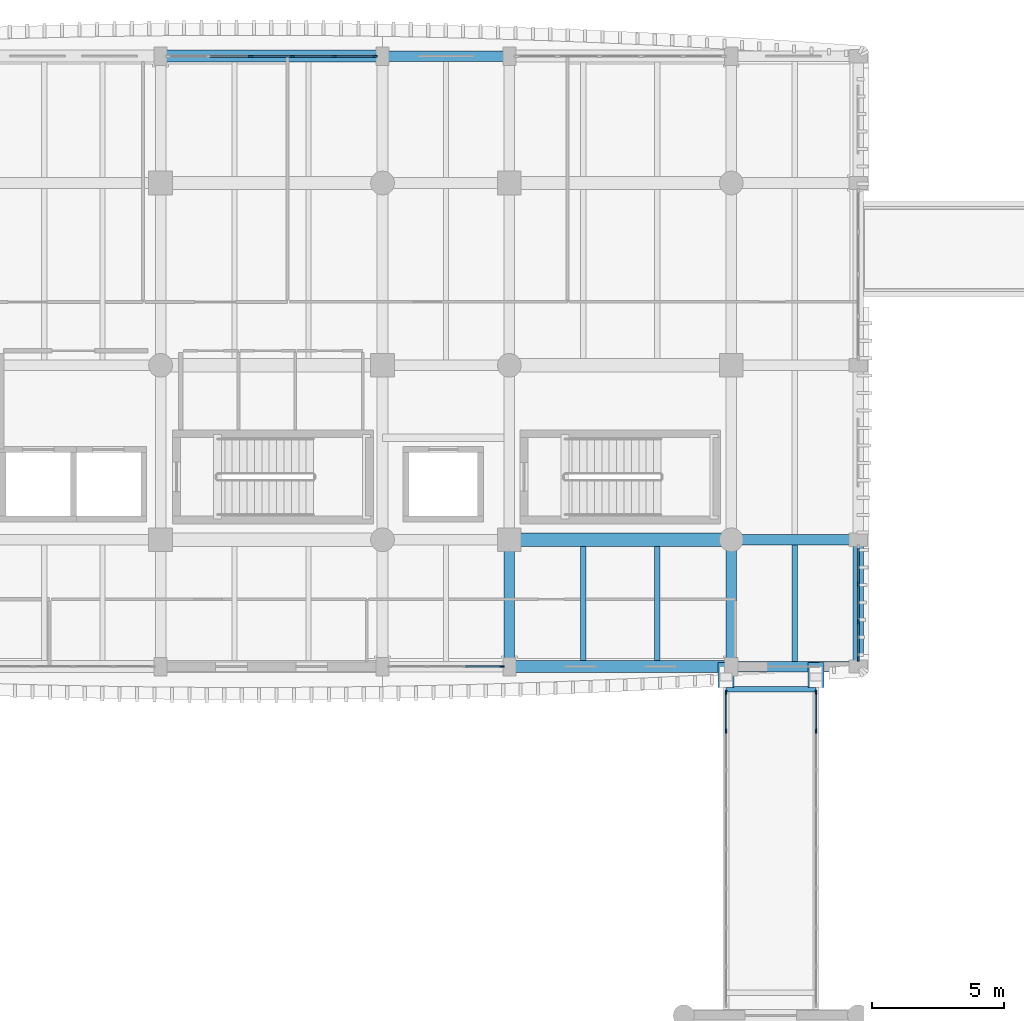
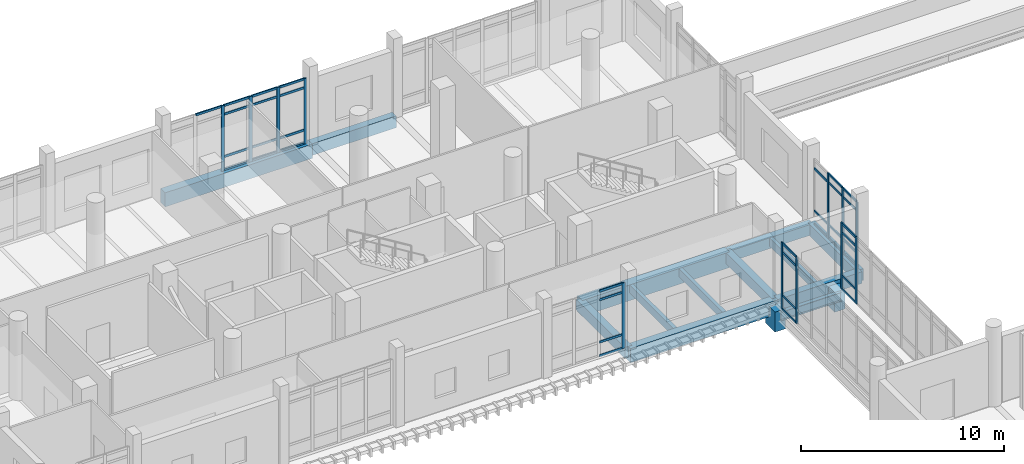
# One storey, part 28 of 101: 48 members, 15 beams, 5 elements without a shape of their own.
"""IFC4 building model written with IfcOpenShell, lengths in metres."""

from ifc_helpers import new_model, si_unit, direction, frame, origin, origin_2d, place, context, subcontext, project, spatial, rectangle, i_section, extrude, material, material_profile, profile_set, type_object, element, aggregate, save


model = new_model("IFC4")

# Units and contexts
model_context = context("Model", 3, precision=1e-05, world=origin(), true_north=direction((0.0, 1.0)))
body_context = subcontext(model_context, "Body", "Model", "MODEL_VIEW")
ifc_project = project(units=[si_unit("LENGTHUNIT", "METRE"), si_unit("AREAUNIT", "SQUARE_METRE"), si_unit("VOLUMEUNIT", "CUBIC_METRE"), si_unit("PLANEANGLEUNIT", "RADIAN"), si_unit("MASSUNIT", "GRAM", prefix="KILO")], contexts=[model_context])

# Site, building, storey
site_placement = place(None, origin())
site = spatial("IfcSite", under=ifc_project, at=site_placement, CompositionType="ELEMENT")
building_placement = place(site_placement, origin())
building = spatial("IfcBuilding", under=site, at=building_placement, Name="Dornvale Research Institute", CompositionType="ELEMENT")
storey_placement = place(building_placement, frame((0.0, 0.0, 10.199951171875)))
storey = spatial("IfcBuildingStorey", under=building, at=storey_placement, Name="L02", CompositionType="ELEMENT", Elevation=10.199951171875)

# Beams
ifc_material_1 = material(Name="Concrete f'c 45 MPa (C35/45)", Category="concrete")
ifc_material_profile_1 = material_profile(ifc_material_1, rectangle(XDim=0.39990234375, YDim=0.64990234375, at=origin_2d()), Name="RC 400x650")
ifc_profile_set_1 = profile_set([ifc_material_profile_1], Name="Concrete f'c 45 MPa (C35/45)")
beam_type_1 = type_object("IfcBeamType", Name="Beam_RC400x650_Floor", PredefinedType="BEAM", material=ifc_profile_set_1)
for number, where, z_axis, x_axis, name in (
    (1, (41.39990234375, 103.800048828125, -0.324951171875), (1.0, 0.0, 0.0), (0.0, 1.0, 0.0), "L02 primary girder #581"),
    (2, (33.0, 99.0, -0.324951171875), (0.0, 1.0, 0.0), (-1.0, 0.0, 0.0), "L02 transverse girder #623"),
    (3, (41.39990234375, 99.0, -0.324951171875), (0.0, 1.0, 0.0), (-1.0, 0.0, 0.0), "L02 transverse girder #627"),
):
    element("IfcBeam", number, at=place(storey_placement, frame(where, z_axis=z_axis, x_axis=x_axis)), inside=storey, type_object=beam_type_1, Name=name, PredefinedType="BEAM", context=body_context, shape_type="SweptSolid", body=[
        extrude(rectangle(XDim=0.39990234375, YDim=0.64990234375, at=origin_2d()), origin(), (0.0, 0.0, 1.0), 4.800048828125),
    ])
ifc_material_2 = material(Name="Concrete f'c 45 MPa (C35/45)", Category="concrete")
ifc_material_profile_2 = material_profile(ifc_material_2, rectangle(XDim=0.5, YDim=0.949951171875, at=origin_2d()), Name="RC 500x950")
ifc_profile_set_2 = profile_set([ifc_material_profile_2], Name="Concrete f'c 45 MPa (C35/45)")
beam_type_2 = type_object("IfcBeamType", Name="Beam_RC500x950_Girder", PredefinedType="BEAM", material=ifc_profile_set_2)
beam_1_placement = place(storey_placement, frame((33.0, 103.800048828125, -0.474853515625), z_axis=(1.0, 0.0, 0.0), x_axis=(0.0, 1.0, 0.0)))
element("IfcBeam", 4, at=beam_1_placement, inside=storey, type_object=beam_type_2, Name="L02 primary girder #580", PredefinedType="BEAM", context=body_context, shape_type="SweptSolid", body=[
    extrude(rectangle(XDim=0.5, YDim=0.949951171875, at=origin_2d()), origin(), (0.0, 0.0, 1.0), 8.39990234375),
])
ifc_material_3 = material(Name="Steel ASTM A992 Grade 50", Category="steel")
ifc_material_profile_3 = material_profile(ifc_material_3, i_section(OverallWidth=0.2099609375, OverallDepth=0.535888671875, WebThickness=0.010986328125, FlangeThickness=0.017333984375, at=origin_2d()), Name="W21X68")
ifc_profile_set_3 = profile_set([ifc_material_profile_3], Name="Steel ASTM A992 Grade 50")
beam_type_3 = type_object("IfcBeamType", Name="Beam_Steel_W21X68", PredefinedType="BEAM", material=ifc_profile_set_3)
beam_2_placement = place(storey_placement, frame((41.199951171875, 98.14990234375, -0.488037109375), z_axis=(1.0, 0.0, 0.0), x_axis=(0.0, 1.0, 0.0)))
element("IfcBeam", 5, at=beam_2_placement, inside=storey, type_object=beam_type_3, Name="L02 BR-4 north cross beam #2024", PredefinedType="BEAM", context=body_context, shape_type="SweptSolid", body=[
    extrude(i_section(OverallWidth=0.2099609375, OverallDepth=0.535888671875, WebThickness=0.010986328125, FlangeThickness=0.017333984375, at=origin_2d()), origin(), (0.0, 0.0, 1.0), 3.400146484375),
])
ifc_material_4 = material(Name="Concrete f'c 45 MPa (C35/45)", Category="concrete")
ifc_material_profile_4 = material_profile(ifc_material_4, rectangle(XDim=0.199951171875, YDim=0.485107421875, at=origin_2d()), Name="RC 200x485")
ifc_profile_set_4 = profile_set([ifc_material_profile_4], Name="Concrete f'c 45 MPa (C35/45)")
beam_type_4 = type_object("IfcBeamType", Name="Joist_RC200x485_Rib", PredefinedType="JOIST", material=ifc_profile_set_4)
for number, where, z_axis, x_axis, name in (
    (6, (35.800048828125, 99.22509765625, -0.242431640625), (0.0, 1.0, 0.0), (-1.0, 0.0, 0.0), "L02 laboratory waffle joist #304"),
    (7, (38.60009765625, 99.22509765625, -0.242431640625), (0.0, 1.0, 0.0), (-1.0, 0.0, 0.0), "L02 laboratory waffle joist #305"),
):
    element("IfcBeam", number, at=place(storey_placement, frame(where, z_axis=z_axis, x_axis=x_axis)), inside=storey, type_object=beam_type_4, Name=name, PredefinedType="JOIST", context=body_context, shape_type="SweptSolid", body=[
        extrude(rectangle(XDim=0.199951171875, YDim=0.485107421875, at=origin_2d()), origin(), (0.0, 0.0, 1.0), 4.324951171875),
    ])
beam_3_placement = place(storey_placement, frame((43.800048828125, 99.199951171875, -0.242431640625), z_axis=(0.0, 1.0, 0.0), x_axis=(-1.0, 0.0, 0.0)))
element("IfcBeam", 8, at=beam_3_placement, inside=storey, type_object=beam_type_4, Name="L02 laboratory waffle joist #310", PredefinedType="JOIST", context=body_context, shape_type="SweptSolid", body=[
    extrude(rectangle(XDim=0.199951171875, YDim=0.485107421875, at=origin_2d()), origin(), (0.0, 0.0, 1.0), 4.400146484375),
])

# Curtain wall, members
ifc_material_5 = material(Name="Low-E Argon Double Insulating Glazing Unit", Category="glass")
curtain_wall_type_1 = type_object("IfcCurtainWallType", Name="UnitisedCurtainWall_V2_11900x4000", PredefinedType="USERDEFINED", material=ifc_material_5)
curtain_wall_1_placement = place(storey_placement, origin())
curtain_wall_1 = element("IfcCurtainWall", 9, at=curtain_wall_1_placement, inside=storey, type_object=curtain_wall_type_1, Name="L02 V2 unitised curtain wall CW-40 #209", ObjectType="UNITISED CURTAIN WALL", PredefinedType="USERDEFINED")
ifc_material_6 = material(Name="Anodized Aluminum AA 6063-T6 Thermally Broken Frame", Category="aluminium")
ifc_material_profile_5 = material_profile(ifc_material_6, rectangle(XDim=0.06494140625, YDim=0.1650390625, at=origin_2d()), Name="ALU MULLION 65x165")
ifc_profile_set_5 = profile_set([ifc_material_profile_5], Name="Anodized Aluminum AA 6063-T6 Thermally Broken Frame")
member_type_1 = type_object("IfcMemberType", Name="Mullion_Atrium_65x165", PredefinedType="MULLION", material=ifc_profile_set_5)
member_1_placement = place(storey_placement, frame((41.199951171875, 96.5625, 0.0), z_axis=(0.0, 0.0, 1.0), x_axis=(-1.0, 0.0, 0.0)))
member_1 = element("IfcMember", 10, at=member_1_placement, type_object=member_type_1, Name="CW-40 mullion 8", PredefinedType="MULLION", context=body_context, shape_type="SweptSolid", body=[
    extrude(rectangle(XDim=0.06494140625, YDim=0.1650390625, at=origin_2d()), origin(), (0.0, 0.0, 1.0), 4.0),
])
member_2_placement = place(storey_placement, frame((41.199951171875, 98.017578125, 0.0), z_axis=(0.0, 0.0, 1.0), x_axis=(-1.0, 0.0, 0.0)))
member_2 = element("IfcMember", 11, at=member_2_placement, type_object=member_type_1, Name="CW-40 mullion 9", PredefinedType="MULLION", context=body_context, shape_type="SweptSolid", body=[
    extrude(rectangle(XDim=0.06494140625, YDim=0.1650390625, at=origin_2d()), origin(), (0.0, 0.0, 1.0), 4.0),
])

curtain_wall_2_placement = place(storey_placement, origin())
curtain_wall_2 = element("IfcCurtainWall", 12, at=curtain_wall_2_placement, inside=storey, type_object=curtain_wall_type_1, Name="L02 V2 unitised curtain wall CW-40 #210", ObjectType="UNITISED CURTAIN WALL", PredefinedType="USERDEFINED")
member_3_placement = place(storey_placement, frame((44.60009765625, 98.017578125, 0.0), z_axis=(0.0, 0.0, 1.0), x_axis=(1.0, 0.0, 0.0)))
member_3 = element("IfcMember", 13, at=member_3_placement, type_object=member_type_1, Name="CW-40 mullion 1", PredefinedType="MULLION", context=body_context, shape_type="SweptSolid", body=[
    extrude(rectangle(XDim=0.06494140625, YDim=0.1650390625, at=origin_2d()), origin(), (0.0, 0.0, 1.0), 4.0),
])
member_4_placement = place(storey_placement, frame((44.60009765625, 96.5625, 0.0), z_axis=(0.0, 0.0, 1.0), x_axis=(1.0, 0.0, 0.0)))
member_4 = element("IfcMember", 14, at=member_4_placement, type_object=member_type_1, Name="CW-40 mullion 2", PredefinedType="MULLION", context=body_context, shape_type="SweptSolid", body=[
    extrude(rectangle(XDim=0.06494140625, YDim=0.1650390625, at=origin_2d()), origin(), (0.0, 0.0, 1.0), 4.0),
])

ifc_material_7 = material(Name="Low-E Argon Double Insulating Glazing Unit", Category="glass")
curtain_wall_type_2 = type_object("IfcCurtainWallType", Name="UnitisedCurtainWall_V5_7900x3950", PredefinedType="USERDEFINED", material=ifc_material_7)
curtain_wall_3_placement = place(storey_placement, origin())
curtain_wall_3 = element("IfcCurtainWall", 15, at=curtain_wall_3_placement, inside=storey, type_object=curtain_wall_type_2, Name="L02 V5 unitised curtain wall CW-24 #141", ObjectType="UNITISED CURTAIN WALL", PredefinedType="USERDEFINED")
ifc_material_8 = material(Name="Anodized Aluminum AA 6063-T6 Thermally Broken Frame", Category="aluminium")
ifc_material_profile_6 = material_profile(ifc_material_8, rectangle(XDim=0.06494140625, YDim=0.179931640625, at=origin_2d()), Name="ALU MULLION 65x180")
ifc_profile_set_6 = profile_set([ifc_material_profile_6], Name="Anodized Aluminum AA 6063-T6 Thermally Broken Frame")
member_type_2 = type_object("IfcMemberType", Name="Mullion_CW_65x180", PredefinedType="MULLION", material=ifc_profile_set_6)
member_5_placement = place(storey_placement, frame((23.2099609375, 122.10009765625, 0.0), z_axis=(0.0, 0.0, 1.0), x_axis=(0.0, 1.0, 0.0)))
member_5 = element("IfcMember", 16, at=member_5_placement, type_object=member_type_2, Name="CW-24 mullion 3", PredefinedType="MULLION", context=body_context, shape_type="SweptSolid", body=[
    extrude(rectangle(XDim=0.06494140625, YDim=0.179931640625, at=origin_2d()), origin(), (0.0, 0.0, 1.0), 3.949951171875),
])
member_6_placement = place(storey_placement, frame((24.7900390625, 122.10009765625, 0.0), z_axis=(0.0, 0.0, 1.0), x_axis=(0.0, 1.0, 0.0)))
member_6 = element("IfcMember", 17, at=member_6_placement, type_object=member_type_2, Name="CW-24 mullion 4", PredefinedType="MULLION", context=body_context, shape_type="SweptSolid", body=[
    extrude(rectangle(XDim=0.06494140625, YDim=0.179931640625, at=origin_2d()), origin(), (0.0, 0.0, 1.0), 3.949951171875),
])
member_7_placement = place(storey_placement, frame((26.3701171875, 122.10009765625, 0.0), z_axis=(0.0, 0.0, 1.0), x_axis=(0.0, 1.0, 0.0)))
member_7 = element("IfcMember", 18, at=member_7_placement, type_object=member_type_2, Name="CW-24 mullion 5", PredefinedType="MULLION", context=body_context, shape_type="SweptSolid", body=[
    extrude(rectangle(XDim=0.06494140625, YDim=0.179931640625, at=origin_2d()), origin(), (0.0, 0.0, 1.0), 3.949951171875),
])
member_8_placement = place(storey_placement, frame((27.91748046875, 122.10009765625, 0.0), z_axis=(0.0, 0.0, 1.0), x_axis=(0.0, 1.0, 0.0)))
member_8 = element("IfcMember", 19, at=member_8_placement, type_object=member_type_2, Name="CW-24 mullion 6", PredefinedType="MULLION", context=body_context, shape_type="SweptSolid", body=[
    extrude(rectangle(XDim=0.06494140625, YDim=0.179931640625, at=origin_2d()), origin(), (0.0, 0.0, 1.0), 3.949951171875),
])

ifc_material_9 = material(Name="Low-E Argon Double Insulating Glazing Unit", Category="glass")
curtain_wall_type_3 = type_object("IfcCurtainWallType", Name="UnitisedCurtainWall_V5_4300x3950", PredefinedType="USERDEFINED", material=ifc_material_9)
curtain_wall_4_placement = place(storey_placement, origin())
curtain_wall_4 = element("IfcCurtainWall", 20, at=curtain_wall_4_placement, inside=storey, type_object=curtain_wall_type_3, Name="L02 V5 unitised curtain wall CW-25 #144", ObjectType="UNITISED CURTAIN WALL", PredefinedType="USERDEFINED")
member_9_placement = place(storey_placement, frame((46.199951171875, 102.11669921875, 0.0), z_axis=(0.0, 0.0, 1.0), x_axis=(1.0, 0.0, 0.0)))
member_9 = element("IfcMember", 21, at=member_9_placement, type_object=member_type_2, Name="CW-25 mullion 2", PredefinedType="MULLION", context=body_context, shape_type="SweptSolid", body=[
    extrude(rectangle(XDim=0.06494140625, YDim=0.179931640625, at=origin_2d()), origin(), (0.0, 0.0, 1.0), 3.949951171875),
])
member_10_placement = place(storey_placement, frame((46.199951171875, 100.683349609375, 0.0), z_axis=(0.0, 0.0, 1.0), x_axis=(1.0, 0.0, 0.0)))
member_10 = element("IfcMember", 22, at=member_10_placement, type_object=member_type_2, Name="CW-25 mullion 3", PredefinedType="MULLION", context=body_context, shape_type="SweptSolid", body=[
    extrude(rectangle(XDim=0.06494140625, YDim=0.179931640625, at=origin_2d()), origin(), (0.0, 0.0, 1.0), 3.949951171875),
])
member_11_placement = place(storey_placement, frame((46.199951171875, 99.282470703125, 0.0), z_axis=(0.0, 0.0, 1.0), x_axis=(1.0, 0.0, 0.0)))
member_11 = element("IfcMember", 23, at=member_11_placement, type_object=member_type_2, Name="CW-25 mullion 4", PredefinedType="MULLION", context=body_context, shape_type="SweptSolid", body=[
    extrude(rectangle(XDim=0.06494140625, YDim=0.179931640625, at=origin_2d()), origin(), (0.0, 0.0, 1.0), 3.949951171875),
])

# Curtain wall, member
curtain_wall_5_placement = place(storey_placement, origin())
curtain_wall_5 = element("IfcCurtainWall", 24, at=curtain_wall_5_placement, inside=storey, type_object=curtain_wall_type_3, Name="L02 V5 unitised curtain wall CW-25 #145", ObjectType="UNITISED CURTAIN WALL", PredefinedType="USERDEFINED")
member_12_placement = place(storey_placement, frame((32.717529296875, 99.0, 0.0), z_axis=(0.0, 0.0, 1.0), x_axis=(0.0, -1.0, 0.0)))
member_12 = element("IfcMember", 25, at=member_12_placement, type_object=member_type_2, Name="CW-25 mullion 1", PredefinedType="MULLION", context=body_context, shape_type="SweptSolid", body=[
    extrude(rectangle(XDim=0.06494140625, YDim=0.179931640625, at=origin_2d()), origin(), (0.0, 0.0, 1.0), 3.949951171875),
])

# Beams
ifc_material_10 = material(Name="Concrete f'c 45 MPa (C35/45)", Category="concrete")
ifc_material_profile_7 = material_profile(ifc_material_10, rectangle(XDim=0.39990234375, YDim=0.699951171875, at=origin_2d()), Name="RC 400x700")
ifc_profile_set_7 = profile_set([ifc_material_profile_7], Name="Concrete f'c 45 MPa (C35/45)")
beam_type_5 = type_object("IfcBeamType", Name="Spandrel_RC400x700_Ext", PredefinedType="SPANDREL", material=ifc_profile_set_7)
for number, where, z_axis, x_axis, name in (
    (26, (41.39990234375, 99.0, -0.349853515625), (1.0, 0.0, 0.0), (0.0, 1.0, 0.0), "L02 perimeter spandrel #574"),
    (27, (28.199951171875, 122.10009765625, -0.349853515625), (1.0, 0.0, 0.0), (0.0, 1.0, 0.0), "L02 perimeter spandrel #600"),
    (28, (46.199951171875, 99.0, -0.349853515625), (0.0, 1.0, 0.0), (-1.0, 0.0, 0.0), "L02 perimeter spandrel #631"),
):
    element("IfcBeam", number, at=place(storey_placement, frame(where, z_axis=z_axis, x_axis=x_axis)), inside=storey, type_object=beam_type_5, Name=name, PredefinedType="SPANDREL", context=body_context, shape_type="SweptSolid", body=[
        extrude(rectangle(XDim=0.39990234375, YDim=0.699951171875, at=origin_2d()), origin(), (0.0, 0.0, 1.0), 4.800048828125),
    ])
ifc_material_11 = material(Name="Concrete f'c 45 MPa (C35/45)", Category="concrete")
ifc_material_profile_8 = material_profile(ifc_material_11, rectangle(XDim=0.449951171875, YDim=0.85009765625, at=origin_2d()), Name="RC 450x850")
ifc_profile_set_8 = profile_set([ifc_material_profile_8], Name="Concrete f'c 45 MPa (C35/45)")
beam_type_6 = type_object("IfcBeamType", Name="Spandrel_RC450x850_Ext", PredefinedType="SPANDREL", material=ifc_profile_set_8)
for number, where, z_axis, x_axis, name in (
    (29, (33.0, 99.0, -0.425048828125), (1.0, 0.0, 0.0), (0.0, 1.0, 0.0), "L02 perimeter spandrel #573"),
    (30, (19.800048828125, 122.10009765625, -0.425048828125), (1.0, 0.0, 0.0), (0.0, 1.0, 0.0), "L02 perimeter spandrel #599"),
):
    element("IfcBeam", number, at=place(storey_placement, frame(where, z_axis=z_axis, x_axis=x_axis)), inside=storey, type_object=beam_type_6, Name=name, PredefinedType="SPANDREL", context=body_context, shape_type="SweptSolid", body=[
        extrude(rectangle(XDim=0.449951171875, YDim=0.85009765625, at=origin_2d()), origin(), (0.0, 0.0, 1.0), 8.39990234375),
    ])
ifc_material_12 = material(Name="Concrete f'c 50 MPa (C40/50)", Category="concrete")
ifc_material_profile_9 = material_profile(ifc_material_12, rectangle(XDim=0.60009765625, YDim=1.199951171875, at=origin_2d()), Name="RC 600x1200")
ifc_profile_set_9 = profile_set([ifc_material_profile_9], Name="Concrete f'c 50 MPa (C40/50)")
beam_type_7 = type_object("IfcBeamType", Name="TBeam_RC600x1200_Tie", PredefinedType="T_BEAM", material=ifc_profile_set_9)
for number, where, z_axis, x_axis, name in (
    (31, (41.199951171875, 98.199951171875, -0.820068359375), (0.0, 1.0, 0.0), (-1.0, 0.0, 0.0), "L02 BR-4 800mm sliding corbel seat #2026"),
    (32, (44.60009765625, 98.199951171875, -0.820068359375), (0.0, 1.0, 0.0), (-1.0, 0.0, 0.0), "L02 BR-4 800mm sliding corbel seat #2026"),
):
    element("IfcBeam", number, at=place(storey_placement, frame(where, z_axis=z_axis, x_axis=x_axis)), inside=storey, type_object=beam_type_7, Name=name, PredefinedType="T_BEAM", context=body_context, shape_type="SweptSolid", body=[
        extrude(rectangle(XDim=0.60009765625, YDim=1.199951171875, at=origin_2d()), origin(), (0.0, 0.0, 1.0), 0.949951171875),
    ])

# Member
ifc_material_13 = material(Name="Anodized Aluminum AA 6063-T6 Thermally Broken Frame", Category="aluminium")
ifc_material_profile_10 = material_profile(ifc_material_13, rectangle(XDim=0.06494140625, YDim=0.135009765625, at=origin_2d()), Name="ALU TRANSOM 65x135")
ifc_profile_set_10 = profile_set([ifc_material_profile_10], Name="Anodized Aluminum AA 6063-T6 Thermally Broken Frame")
member_type_3 = type_object("IfcMemberType", Name="Transom_CW_65x135", PredefinedType="USERDEFINED", material=ifc_profile_set_10)
member_13_placement = place(storey_placement, frame((21.66259765625, 122.10009765625, 3.91748046875), z_axis=(1.0, 0.0, 0.0), x_axis=(0.0, 1.0, 0.0)))
member_13 = element("IfcMember", 33, at=member_13_placement, type_object=member_type_3, Name="CW-24 transom 2.4", ObjectType="TRANSOM", PredefinedType="USERDEFINED", context=body_context, shape_type="SweptSolid", body=[
    extrude(rectangle(XDim=0.06494140625, YDim=0.135009765625, at=origin_2d()), origin(), (0.0, 0.0, 1.0), 1.514892578125),
])

member_14_placement = place(storey_placement, frame((23.242431640625, 122.10009765625, 0.032470703125), z_axis=(1.0, 0.0, 0.0), x_axis=(0.0, 1.0, 0.0)))
member_14 = element("IfcMember", 34, at=member_14_placement, type_object=member_type_3, Name="CW-24 transom 3.1", ObjectType="TRANSOM", PredefinedType="USERDEFINED", context=body_context, shape_type="SweptSolid", body=[
    extrude(rectangle(XDim=0.06494140625, YDim=0.135009765625, at=origin_2d()), origin(), (0.0, 0.0, 1.0), 1.51513671875),
])

member_15_placement = place(storey_placement, frame((23.242431640625, 122.10009765625, 0.85009765625), z_axis=(1.0, 0.0, 0.0), x_axis=(0.0, 1.0, 0.0)))
member_15 = element("IfcMember", 35, at=member_15_placement, type_object=member_type_3, Name="CW-24 transom 3.2", ObjectType="TRANSOM", PredefinedType="USERDEFINED", context=body_context, shape_type="SweptSolid", body=[
    extrude(rectangle(XDim=0.06494140625, YDim=0.135009765625, at=origin_2d()), origin(), (0.0, 0.0, 1.0), 1.51513671875),
])

member_16_placement = place(storey_placement, frame((23.242431640625, 122.10009765625, 3.400146484375), z_axis=(1.0, 0.0, 0.0), x_axis=(0.0, 1.0, 0.0)))
member_16 = element("IfcMember", 36, at=member_16_placement, type_object=member_type_3, Name="CW-24 transom 3.3", ObjectType="TRANSOM", PredefinedType="USERDEFINED", context=body_context, shape_type="SweptSolid", body=[
    extrude(rectangle(XDim=0.06494140625, YDim=0.135009765625, at=origin_2d()), origin(), (0.0, 0.0, 1.0), 1.51513671875),
])

member_17_placement = place(storey_placement, frame((23.242431640625, 122.10009765625, 3.91748046875), z_axis=(1.0, 0.0, 0.0), x_axis=(0.0, 1.0, 0.0)))
member_17 = element("IfcMember", 37, at=member_17_placement, type_object=member_type_3, Name="CW-24 transom 3.4", ObjectType="TRANSOM", PredefinedType="USERDEFINED", context=body_context, shape_type="SweptSolid", body=[
    extrude(rectangle(XDim=0.06494140625, YDim=0.135009765625, at=origin_2d()), origin(), (0.0, 0.0, 1.0), 1.51513671875),
])

member_18_placement = place(storey_placement, frame((24.822509765625, 122.10009765625, 0.032470703125), z_axis=(1.0, 0.0, 0.0), x_axis=(0.0, 1.0, 0.0)))
member_18 = element("IfcMember", 38, at=member_18_placement, type_object=member_type_3, Name="CW-24 transom 4.1", ObjectType="TRANSOM", PredefinedType="USERDEFINED", context=body_context, shape_type="SweptSolid", body=[
    extrude(rectangle(XDim=0.06494140625, YDim=0.135009765625, at=origin_2d()), origin(), (0.0, 0.0, 1.0), 1.514892578125),
])

member_19_placement = place(storey_placement, frame((24.822509765625, 122.10009765625, 0.85009765625), z_axis=(1.0, 0.0, 0.0), x_axis=(0.0, 1.0, 0.0)))
member_19 = element("IfcMember", 39, at=member_19_placement, type_object=member_type_3, Name="CW-24 transom 4.2", ObjectType="TRANSOM", PredefinedType="USERDEFINED", context=body_context, shape_type="SweptSolid", body=[
    extrude(rectangle(XDim=0.06494140625, YDim=0.135009765625, at=origin_2d()), origin(), (0.0, 0.0, 1.0), 1.514892578125),
])

member_20_placement = place(storey_placement, frame((24.822509765625, 122.10009765625, 3.400146484375), z_axis=(1.0, 0.0, 0.0), x_axis=(0.0, 1.0, 0.0)))
member_20 = element("IfcMember", 40, at=member_20_placement, type_object=member_type_3, Name="CW-24 transom 4.3", ObjectType="TRANSOM", PredefinedType="USERDEFINED", context=body_context, shape_type="SweptSolid", body=[
    extrude(rectangle(XDim=0.06494140625, YDim=0.135009765625, at=origin_2d()), origin(), (0.0, 0.0, 1.0), 1.514892578125),
])

member_21_placement = place(storey_placement, frame((24.822509765625, 122.10009765625, 3.91748046875), z_axis=(1.0, 0.0, 0.0), x_axis=(0.0, 1.0, 0.0)))
member_21 = element("IfcMember", 41, at=member_21_placement, type_object=member_type_3, Name="CW-24 transom 4.4", ObjectType="TRANSOM", PredefinedType="USERDEFINED", context=body_context, shape_type="SweptSolid", body=[
    extrude(rectangle(XDim=0.06494140625, YDim=0.135009765625, at=origin_2d()), origin(), (0.0, 0.0, 1.0), 1.514892578125),
])

member_22_placement = place(storey_placement, frame((26.402587890625, 122.10009765625, 0.032470703125), z_axis=(1.0, 0.0, 0.0), x_axis=(0.0, 1.0, 0.0)))
member_22 = element("IfcMember", 42, at=member_22_placement, type_object=member_type_3, Name="CW-24 transom 5.1", ObjectType="TRANSOM", PredefinedType="USERDEFINED", context=body_context, shape_type="SweptSolid", body=[
    extrude(rectangle(XDim=0.06494140625, YDim=0.135009765625, at=origin_2d()), origin(), (0.0, 0.0, 1.0), 1.482421875),
])

member_23_placement = place(storey_placement, frame((26.402587890625, 122.10009765625, 0.85009765625), z_axis=(1.0, 0.0, 0.0), x_axis=(0.0, 1.0, 0.0)))
member_23 = element("IfcMember", 43, at=member_23_placement, type_object=member_type_3, Name="CW-24 transom 5.2", ObjectType="TRANSOM", PredefinedType="USERDEFINED", context=body_context, shape_type="SweptSolid", body=[
    extrude(rectangle(XDim=0.06494140625, YDim=0.135009765625, at=origin_2d()), origin(), (0.0, 0.0, 1.0), 1.482421875),
])

member_24_placement = place(storey_placement, frame((26.402587890625, 122.10009765625, 3.400146484375), z_axis=(1.0, 0.0, 0.0), x_axis=(0.0, 1.0, 0.0)))
member_24 = element("IfcMember", 44, at=member_24_placement, type_object=member_type_3, Name="CW-24 transom 5.3", ObjectType="TRANSOM", PredefinedType="USERDEFINED", context=body_context, shape_type="SweptSolid", body=[
    extrude(rectangle(XDim=0.06494140625, YDim=0.135009765625, at=origin_2d()), origin(), (0.0, 0.0, 1.0), 1.482421875),
])

member_25_placement = place(storey_placement, frame((26.402587890625, 122.10009765625, 3.91748046875), z_axis=(1.0, 0.0, 0.0), x_axis=(0.0, 1.0, 0.0)))
member_25 = element("IfcMember", 45, at=member_25_placement, type_object=member_type_3, Name="CW-24 transom 5.4", ObjectType="TRANSOM", PredefinedType="USERDEFINED", context=body_context, shape_type="SweptSolid", body=[
    extrude(rectangle(XDim=0.06494140625, YDim=0.135009765625, at=origin_2d()), origin(), (0.0, 0.0, 1.0), 1.482421875),
])

aggregate(curtain_wall_3, [member_5, member_6, member_7, member_8, member_13, member_14, member_15, member_16, member_17, member_18, member_19, member_20, member_21, member_22, member_23, member_24, member_25])

member_26_placement = place(storey_placement, frame((46.199951171875, 103.485107421875, 0.032470703125), z_axis=(0.0, -1.0, 0.0), x_axis=(1.0, 0.0, 0.0)))
member_26 = element("IfcMember", 46, at=member_26_placement, type_object=member_type_3, Name="CW-25 transom 1.1", ObjectType="TRANSOM", PredefinedType="USERDEFINED", context=body_context, shape_type="SweptSolid", body=[
    extrude(rectangle(XDim=0.06494140625, YDim=0.135009765625, at=origin_2d()), origin(), (0.0, 0.0, 1.0), 1.3359375),
])

member_27_placement = place(storey_placement, frame((46.199951171875, 103.485107421875, 0.85009765625), z_axis=(0.0, -1.0, 0.0), x_axis=(1.0, 0.0, 0.0)))
member_27 = element("IfcMember", 47, at=member_27_placement, type_object=member_type_3, Name="CW-25 transom 1.2", ObjectType="TRANSOM", PredefinedType="USERDEFINED", context=body_context, shape_type="SweptSolid", body=[
    extrude(rectangle(XDim=0.06494140625, YDim=0.135009765625, at=origin_2d()), origin(), (0.0, 0.0, 1.0), 1.3359375),
])

member_28_placement = place(storey_placement, frame((46.199951171875, 103.485107421875, 3.400146484375), z_axis=(0.0, -1.0, 0.0), x_axis=(1.0, 0.0, 0.0)))
member_28 = element("IfcMember", 48, at=member_28_placement, type_object=member_type_3, Name="CW-25 transom 1.3", ObjectType="TRANSOM", PredefinedType="USERDEFINED", context=body_context, shape_type="SweptSolid", body=[
    extrude(rectangle(XDim=0.06494140625, YDim=0.135009765625, at=origin_2d()), origin(), (0.0, 0.0, 1.0), 1.3359375),
])

member_29_placement = place(storey_placement, frame((46.199951171875, 102.084228515625, 0.032470703125), z_axis=(0.0, -1.0, 0.0), x_axis=(1.0, 0.0, 0.0)))
member_29 = element("IfcMember", 49, at=member_29_placement, type_object=member_type_3, Name="CW-25 transom 2.1", ObjectType="TRANSOM", PredefinedType="USERDEFINED", context=body_context, shape_type="SweptSolid", body=[
    extrude(rectangle(XDim=0.06494140625, YDim=0.135009765625, at=origin_2d()), origin(), (0.0, 0.0, 1.0), 1.368408203125),
])

member_30_placement = place(storey_placement, frame((46.199951171875, 102.084228515625, 0.85009765625), z_axis=(0.0, -1.0, 0.0), x_axis=(1.0, 0.0, 0.0)))
member_30 = element("IfcMember", 50, at=member_30_placement, type_object=member_type_3, Name="CW-25 transom 2.2", ObjectType="TRANSOM", PredefinedType="USERDEFINED", context=body_context, shape_type="SweptSolid", body=[
    extrude(rectangle(XDim=0.06494140625, YDim=0.135009765625, at=origin_2d()), origin(), (0.0, 0.0, 1.0), 1.368408203125),
])

member_31_placement = place(storey_placement, frame((46.199951171875, 102.084228515625, 3.400146484375), z_axis=(0.0, -1.0, 0.0), x_axis=(1.0, 0.0, 0.0)))
member_31 = element("IfcMember", 51, at=member_31_placement, type_object=member_type_3, Name="CW-25 transom 2.3", ObjectType="TRANSOM", PredefinedType="USERDEFINED", context=body_context, shape_type="SweptSolid", body=[
    extrude(rectangle(XDim=0.06494140625, YDim=0.135009765625, at=origin_2d()), origin(), (0.0, 0.0, 1.0), 1.368408203125),
])

member_32_placement = place(storey_placement, frame((46.199951171875, 102.084228515625, 3.91748046875), z_axis=(0.0, -1.0, 0.0), x_axis=(1.0, 0.0, 0.0)))
member_32 = element("IfcMember", 52, at=member_32_placement, type_object=member_type_3, Name="CW-25 transom 2.4", ObjectType="TRANSOM", PredefinedType="USERDEFINED", context=body_context, shape_type="SweptSolid", body=[
    extrude(rectangle(XDim=0.06494140625, YDim=0.135009765625, at=origin_2d()), origin(), (0.0, 0.0, 1.0), 1.368408203125),
])

member_33_placement = place(storey_placement, frame((46.199951171875, 100.65087890625, 0.032470703125), z_axis=(0.0, -1.0, 0.0), x_axis=(1.0, 0.0, 0.0)))
member_33 = element("IfcMember", 53, at=member_33_placement, type_object=member_type_3, Name="CW-25 transom 3.1", ObjectType="TRANSOM", PredefinedType="USERDEFINED", context=body_context, shape_type="SweptSolid", body=[
    extrude(rectangle(XDim=0.06494140625, YDim=0.135009765625, at=origin_2d()), origin(), (0.0, 0.0, 1.0), 1.3359375),
])

member_34_placement = place(storey_placement, frame((46.199951171875, 100.65087890625, 0.85009765625), z_axis=(0.0, -1.0, 0.0), x_axis=(1.0, 0.0, 0.0)))
member_34 = element("IfcMember", 54, at=member_34_placement, type_object=member_type_3, Name="CW-25 transom 3.2", ObjectType="TRANSOM", PredefinedType="USERDEFINED", context=body_context, shape_type="SweptSolid", body=[
    extrude(rectangle(XDim=0.06494140625, YDim=0.135009765625, at=origin_2d()), origin(), (0.0, 0.0, 1.0), 1.3359375),
])

member_35_placement = place(storey_placement, frame((46.199951171875, 100.65087890625, 3.400146484375), z_axis=(0.0, -1.0, 0.0), x_axis=(1.0, 0.0, 0.0)))
member_35 = element("IfcMember", 55, at=member_35_placement, type_object=member_type_3, Name="CW-25 transom 3.3", ObjectType="TRANSOM", PredefinedType="USERDEFINED", context=body_context, shape_type="SweptSolid", body=[
    extrude(rectangle(XDim=0.06494140625, YDim=0.135009765625, at=origin_2d()), origin(), (0.0, 0.0, 1.0), 1.3359375),
])

member_36_placement = place(storey_placement, frame((46.199951171875, 100.65087890625, 3.91748046875), z_axis=(0.0, -1.0, 0.0), x_axis=(1.0, 0.0, 0.0)))
member_36 = element("IfcMember", 56, at=member_36_placement, type_object=member_type_3, Name="CW-25 transom 3.4", ObjectType="TRANSOM", PredefinedType="USERDEFINED", context=body_context, shape_type="SweptSolid", body=[
    extrude(rectangle(XDim=0.06494140625, YDim=0.135009765625, at=origin_2d()), origin(), (0.0, 0.0, 1.0), 1.3359375),
])

aggregate(curtain_wall_4, [member_9, member_10, member_11, member_26, member_27, member_28, member_29, member_30, member_31, member_32, member_33, member_34, member_35, member_36])

member_37_placement = place(storey_placement, frame((32.68505859375, 99.0, 0.032470703125), z_axis=(-1.0, 0.0, 0.0), x_axis=(0.0, -1.0, 0.0)))
member_37 = element("IfcMember", 57, at=member_37_placement, type_object=member_type_3, Name="CW-25 transom 1.1", ObjectType="TRANSOM", PredefinedType="USERDEFINED", context=body_context, shape_type="SweptSolid", body=[
    extrude(rectangle(XDim=0.06494140625, YDim=0.135009765625, at=origin_2d()), origin(), (0.0, 0.0, 1.0), 1.3359375),
])

member_38_placement = place(storey_placement, frame((32.68505859375, 99.0, 0.85009765625), z_axis=(-1.0, 0.0, 0.0), x_axis=(0.0, -1.0, 0.0)))
member_38 = element("IfcMember", 58, at=member_38_placement, type_object=member_type_3, Name="CW-25 transom 1.2", ObjectType="TRANSOM", PredefinedType="USERDEFINED", context=body_context, shape_type="SweptSolid", body=[
    extrude(rectangle(XDim=0.06494140625, YDim=0.135009765625, at=origin_2d()), origin(), (0.0, 0.0, 1.0), 1.3359375),
])

member_39_placement = place(storey_placement, frame((32.68505859375, 99.0, 3.400146484375), z_axis=(-1.0, 0.0, 0.0), x_axis=(0.0, -1.0, 0.0)))
member_39 = element("IfcMember", 59, at=member_39_placement, type_object=member_type_3, Name="CW-25 transom 1.3", ObjectType="TRANSOM", PredefinedType="USERDEFINED", context=body_context, shape_type="SweptSolid", body=[
    extrude(rectangle(XDim=0.06494140625, YDim=0.135009765625, at=origin_2d()), origin(), (0.0, 0.0, 1.0), 1.3359375),
])

member_40_placement = place(storey_placement, frame((32.68505859375, 99.0, 3.91748046875), z_axis=(-1.0, 0.0, 0.0), x_axis=(0.0, -1.0, 0.0)))
member_40 = element("IfcMember", 60, at=member_40_placement, type_object=member_type_3, Name="CW-25 transom 1.4", ObjectType="TRANSOM", PredefinedType="USERDEFINED", context=body_context, shape_type="SweptSolid", body=[
    extrude(rectangle(XDim=0.06494140625, YDim=0.135009765625, at=origin_2d()), origin(), (0.0, 0.0, 1.0), 1.3359375),
])

aggregate(curtain_wall_5, [member_12, member_37, member_38, member_39, member_40])

member_41_placement = place(storey_placement, frame((41.199951171875, 96.594970703125, 0.032470703125), z_axis=(0.0, 1.0, 0.0), x_axis=(-1.0, 0.0, 0.0)))
member_41 = element("IfcMember", 61, at=member_41_placement, type_object=member_type_3, Name="CW-40 transom 8.1", ObjectType="TRANSOM", PredefinedType="USERDEFINED", context=body_context, shape_type="SweptSolid", body=[
    extrude(rectangle(XDim=0.06494140625, YDim=0.135009765625, at=origin_2d()), origin(), (0.0, 0.0, 1.0), 1.39013671875),
])

member_42_placement = place(storey_placement, frame((41.199951171875, 96.594970703125, 0.85009765625), z_axis=(0.0, 1.0, 0.0), x_axis=(-1.0, 0.0, 0.0)))
member_42 = element("IfcMember", 62, at=member_42_placement, type_object=member_type_3, Name="CW-40 transom 8.2", ObjectType="TRANSOM", PredefinedType="USERDEFINED", context=body_context, shape_type="SweptSolid", body=[
    extrude(rectangle(XDim=0.06494140625, YDim=0.135009765625, at=origin_2d()), origin(), (0.0, 0.0, 1.0), 1.39013671875),
])

member_43_placement = place(storey_placement, frame((41.199951171875, 96.594970703125, 3.449951171875), z_axis=(0.0, 1.0, 0.0), x_axis=(-1.0, 0.0, 0.0)))
member_43 = element("IfcMember", 63, at=member_43_placement, type_object=member_type_3, Name="CW-40 transom 8.3", ObjectType="TRANSOM", PredefinedType="USERDEFINED", context=body_context, shape_type="SweptSolid", body=[
    extrude(rectangle(XDim=0.06494140625, YDim=0.135009765625, at=origin_2d()), origin(), (0.0, 0.0, 1.0), 1.39013671875),
])

member_44_placement = place(storey_placement, frame((41.199951171875, 96.594970703125, 3.967529296875), z_axis=(0.0, 1.0, 0.0), x_axis=(-1.0, 0.0, 0.0)))
member_44 = element("IfcMember", 64, at=member_44_placement, type_object=member_type_3, Name="CW-40 transom 8.4", ObjectType="TRANSOM", PredefinedType="USERDEFINED", context=body_context, shape_type="SweptSolid", body=[
    extrude(rectangle(XDim=0.06494140625, YDim=0.135009765625, at=origin_2d()), origin(), (0.0, 0.0, 1.0), 1.39013671875),
])

aggregate(curtain_wall_1, [member_1, member_2, member_41, member_42, member_43, member_44])

member_45_placement = place(storey_placement, frame((44.60009765625, 97.985107421875, 0.032470703125), z_axis=(0.0, -1.0, 0.0), x_axis=(1.0, 0.0, 0.0)))
member_45 = element("IfcMember", 65, at=member_45_placement, type_object=member_type_3, Name="CW-40 transom 1.1", ObjectType="TRANSOM", PredefinedType="USERDEFINED", context=body_context, shape_type="SweptSolid", body=[
    extrude(rectangle(XDim=0.06494140625, YDim=0.135009765625, at=origin_2d()), origin(), (0.0, 0.0, 1.0), 1.39013671875),
])

member_46_placement = place(storey_placement, frame((44.60009765625, 97.985107421875, 0.85009765625), z_axis=(0.0, -1.0, 0.0), x_axis=(1.0, 0.0, 0.0)))
member_46 = element("IfcMember", 66, at=member_46_placement, type_object=member_type_3, Name="CW-40 transom 1.2", ObjectType="TRANSOM", PredefinedType="USERDEFINED", context=body_context, shape_type="SweptSolid", body=[
    extrude(rectangle(XDim=0.06494140625, YDim=0.135009765625, at=origin_2d()), origin(), (0.0, 0.0, 1.0), 1.39013671875),
])

member_47_placement = place(storey_placement, frame((44.60009765625, 97.985107421875, 3.449951171875), z_axis=(0.0, -1.0, 0.0), x_axis=(1.0, 0.0, 0.0)))
member_47 = element("IfcMember", 67, at=member_47_placement, type_object=member_type_3, Name="CW-40 transom 1.3", ObjectType="TRANSOM", PredefinedType="USERDEFINED", context=body_context, shape_type="SweptSolid", body=[
    extrude(rectangle(XDim=0.06494140625, YDim=0.135009765625, at=origin_2d()), origin(), (0.0, 0.0, 1.0), 1.39013671875),
])

member_48_placement = place(storey_placement, frame((44.60009765625, 97.985107421875, 3.967529296875), z_axis=(0.0, -1.0, 0.0), x_axis=(1.0, 0.0, 0.0)))
member_48 = element("IfcMember", 68, at=member_48_placement, type_object=member_type_3, Name="CW-40 transom 1.4", ObjectType="TRANSOM", PredefinedType="USERDEFINED", context=body_context, shape_type="SweptSolid", body=[
    extrude(rectangle(XDim=0.06494140625, YDim=0.135009765625, at=origin_2d()), origin(), (0.0, 0.0, 1.0), 1.39013671875),
])

aggregate(curtain_wall_2, [member_3, member_4, member_45, member_46, member_47, member_48])

save(model, "model.ifc")
